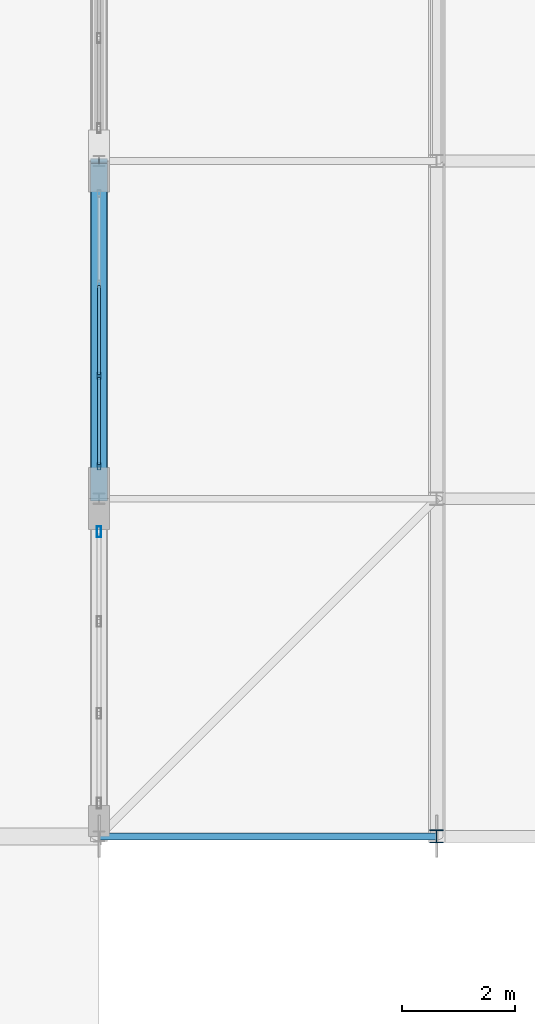
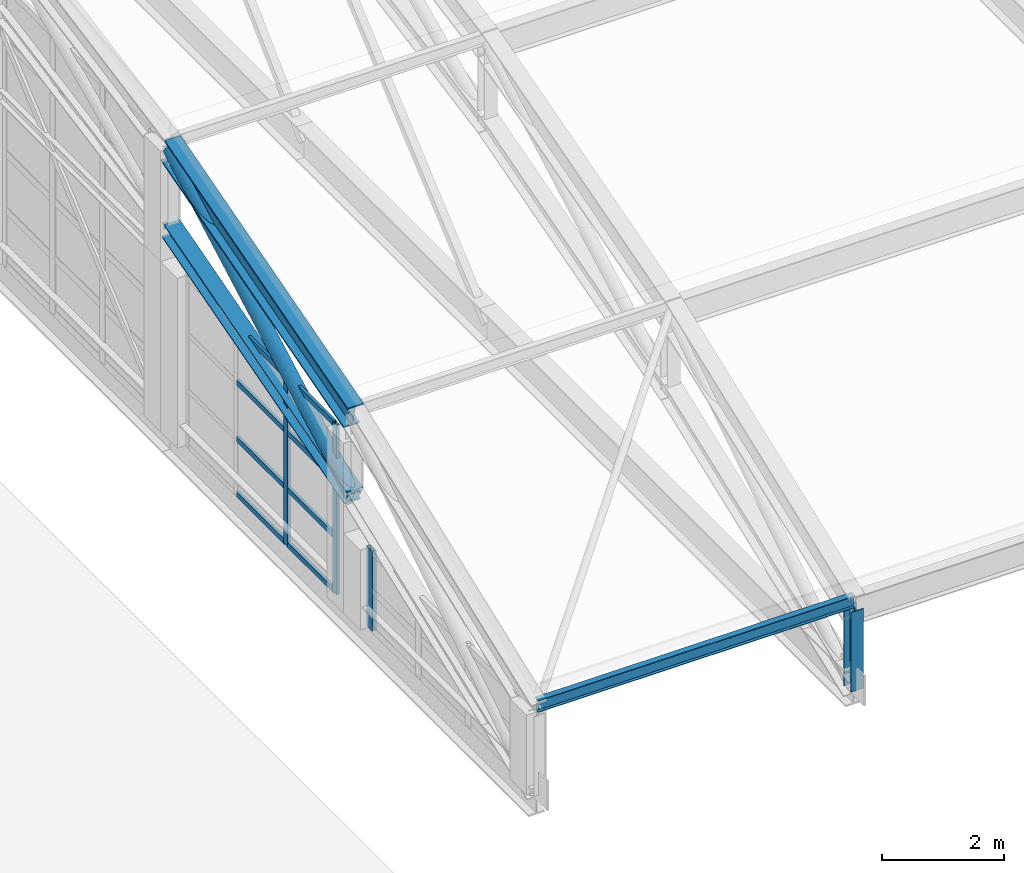
# One storey, part 73 of 204: 16 members, 2 elements without a shape of their own.
"""IFC4 building model written with IfcOpenShell, lengths in metres."""

import ifcopenshell
import ifcopenshell.guid

model = None  # the IFC model being written
_history = None  # IfcOwnerHistory: only IFC2X3 demands one
_inside = {}  # id of a spatial element -> (the spatial element, [elements in it])
_under = {}  # id of a project, library or spatial element -> (it, [spatial elements below it])
_declared = {}  # id of a project -> (the project, [libraries it declares])
_typed = {}  # id of a type object -> (the type object, [elements of that type])
_made_of = {}  # id of a material, layer set ... -> (it, [elements and type objects made of it])


def new_model(schema):
    """Start an empty IFC model of exactly this schema.

    Asked for "IFC4X3", IfcOpenShell would pick the latest addendum, in which some entities
    have other attributes; the version numbers below select the first issue.
    IFC2X3 requires an IfcOwnerHistory on every rooted entity: one is made here for all.
    """
    global model, _history
    if schema == "IFC4X3":
        model = ifcopenshell.file(schema_version=(4, 3, 0, 0))
    else:
        model = ifcopenshell.file(schema=schema)
    _inside.clear()
    _under.clear()
    _declared.clear()
    _typed.clear()
    _made_of.clear()
    _history = None
    if model.schema == "IFC2X3":
        org = make("IfcOrganization", Name="unknown")
        user = make(
            "IfcPersonAndOrganization",
            ThePerson=make("IfcPerson", FamilyName="unknown"),
            TheOrganization=org,
        )
        app = make(
            "IfcApplication",
            ApplicationDeveloper=org,
            Version="unknown",
            ApplicationFullName="unknown",
            ApplicationIdentifier="unknown",
        )
        _history = make(
            "IfcOwnerHistory",
            OwningUser=user,
            OwningApplication=app,
            ChangeAction="ADDED",
            CreationDate=0,
        )
    return model


def make(cls, **values):
    """One entity of the class cls with the attributes given. An attribute that is None is left unset."""
    return model.create_entity(
        cls, **{name: value for name, value in values.items() if value is not None}
    )


def rooted(cls, **values):
    """An entity with a GlobalId (a new one), such as an element, a storey or a relation."""
    return make(cls, GlobalId=ifcopenshell.guid.new(), OwnerHistory=_history, **values)


def si_unit(unit_type, name, prefix=None):
    """IfcSIUnit, for example si_unit("LENGTHUNIT", "METRE", prefix="MILLI")."""
    return make("IfcSIUnit", UnitType=unit_type, Prefix=prefix, Name=name)


def assignment(units):
    """IfcUnitAssignment: the units of a project."""
    return None if units is None else make("IfcUnitAssignment", Units=units)


def point(xyz):
    """IfcCartesianPoint."""
    return None if xyz is None else make("IfcCartesianPoint", Coordinates=xyz)


def direction(xyz):
    """IfcDirection."""
    return None if xyz is None else make("IfcDirection", DirectionRatios=xyz)


def frame(location, z_axis=None, x_axis=None):
    """IfcAxis2Placement3D, a coordinate frame: its origin and axes. An axis left out is left unset."""
    return make(
        "IfcAxis2Placement3D",
        Location=point(location),
        Axis=direction(z_axis),
        RefDirection=direction(x_axis),
    )


def frame_2d(location, x_axis=None):
    """IfcAxis2Placement2D, a coordinate frame in the plane: its origin and x axis."""
    return make(
        "IfcAxis2Placement2D", Location=point(location), RefDirection=direction(x_axis)
    )


def origin():
    """The frame at (0, 0, 0) with its axes left unset."""
    return frame((0.0, 0.0, 0.0))


def origin_2d():
    """The frame at (0, 0) in the plane with its x axis left unset."""
    return frame_2d((0.0, 0.0))


def place(relative_to, where):
    """IfcLocalPlacement: puts the frame where relative to a parent placement (None: the world)."""
    return make(
        "IfcLocalPlacement", PlacementRelTo=relative_to, RelativePlacement=where
    )


def context(
    kind, dimensions, precision=None, world=None, true_north=None, identifier=None
):
    """IfcGeometricRepresentationContext, for example the 3D "Model" context."""
    return make(
        "IfcGeometricRepresentationContext",
        ContextIdentifier=identifier,
        ContextType=kind,
        CoordinateSpaceDimension=dimensions,
        Precision=precision,
        WorldCoordinateSystem=world,
        TrueNorth=true_north,
    )


def subcontext(parent, identifier, kind, view, scale=None):
    """IfcGeometricRepresentationSubContext, for example "Body" below "Model"."""
    return make(
        "IfcGeometricRepresentationSubContext",
        ContextIdentifier=identifier,
        ContextType=kind,
        ParentContext=parent,
        TargetScale=scale,
        TargetView=view,
    )


def project(units=None, contexts=None):
    """IfcProject with its units and contexts."""
    return rooted(
        "IfcProject",
        Name="project",
        RepresentationContexts=contexts,
        UnitsInContext=assignment(units),
    )


def spatial(cls, under=None, at=None, **own):
    """A site, building, storey or space (cls), placed at a placement, below another one or the project."""
    s = rooted(cls, ObjectPlacement=at, **own)
    if under is not None:
        _under.setdefault(under.id(), (under, []))[1].append(s)
    return s


def profile(cls, at=None, kind="AREA", **sizes):
    """A parametric profile (cls). Its sizes go by their IFC names, for example OverallWidth=200.0."""
    return make(cls, ProfileType=kind, Position=at, **sizes)


def hollow_rectangle(**sizes):
    """IfcRectangleHollowProfileDef."""
    return profile("IfcRectangleHollowProfileDef", **sizes)


def hollow_circle(**sizes):
    """IfcCircleHollowProfileDef."""
    return profile("IfcCircleHollowProfileDef", **sizes)


def i_section(**sizes):
    """IfcIShapeProfileDef."""
    return profile("IfcIShapeProfileDef", **sizes)


def extrude(swept, where, along, depth):
    """IfcExtrudedAreaSolid: the profile swept, set in the frame where, extruded along a direction by depth."""
    return make(
        "IfcExtrudedAreaSolid",
        SweptArea=swept,
        Position=where,
        ExtrudedDirection=direction(along),
        Depth=depth,
    )


def shape(context_of_items, identifier, shape_type, items):
    """IfcShapeRepresentation: the items that make up one representation, for example the "Body"."""
    return make(
        "IfcShapeRepresentation",
        ContextOfItems=context_of_items,
        RepresentationIdentifier=identifier,
        RepresentationType=shape_type,
        Items=items,
    )


def material(Name=None, Category=None):
    """IfcMaterial."""
    return make("IfcMaterial", Name=Name, Category=Category)


def layer(
    of_material, thickness, ventilated=None, Name=None, Category=None, Priority=None
):
    """IfcMaterialLayer: one layer of a wall or slab, of a material (None: an air gap)."""
    return make(
        "IfcMaterialLayer",
        Material=of_material,
        LayerThickness=thickness,
        IsVentilated=ventilated,
        Name=Name,
        Category=Category,
        Priority=Priority,
    )


def layer_set(layers, Name=None):
    """IfcMaterialLayerSet."""
    return make("IfcMaterialLayerSet", MaterialLayers=layers, LayerSetName=Name)


def material_profile(
    of_material, cross_section, Name=None, Category=None, Priority=None
):
    """IfcMaterialProfile: a cross section and its material."""
    return make(
        "IfcMaterialProfile",
        Name=Name,
        Material=of_material,
        Profile=cross_section,
        Priority=Priority,
        Category=Category,
    )


def profile_set(profiles, Name=None, composite=None):
    """IfcMaterialProfileSet."""
    return make(
        "IfcMaterialProfileSet",
        Name=Name,
        MaterialProfiles=profiles,
        CompositeProfile=composite,
    )


def made_of(thing, what):
    """Note that an element or type object is made of a material, layer set ...; save() writes the relation."""
    if what is not None:
        _made_of.setdefault(what.id(), (what, []))[1].append(thing)
    return thing


def type_object(cls, material=None, **own):
    """A type object (cls), such as IfcWallType, which elements share."""
    return made_of(rooted(cls, **own), material)


def element(
    cls,
    number,
    at=None,
    inside=None,
    cuts=None,
    type_object=None,
    material=None,
    context=None,
    identifier="Body",
    shape_type=None,
    held_by="IfcProductDefinitionShape",
    body=None,
    shapes=None,
    **own,
):
    """One element of the class cls, such as IfcWall. Its Tag is "e" and its number.

    at: its placement. inside: the storey or other place that contains it. cuts: it is an
    opening in that element (IfcRelVoidsElement). A single representation is given by context,
    identifier, shape_type and body (its items); several are given by shapes. held_by: the class
    of the entity that holds the representations. save() writes the other relations.
    """
    e = rooted(cls, Tag="e%d" % number, ObjectPlacement=at, **own)
    if body is not None:
        shapes = [shape(context, identifier, shape_type, body)]
    if shapes is not None:
        e.Representation = make(held_by, Representations=shapes)
    if inside is not None:
        _inside.setdefault(inside.id(), (inside, []))[1].append(e)
    if cuts is not None:
        rooted(
            "IfcRelVoidsElement", RelatingBuildingElement=cuts, RelatedOpeningElement=e
        )
    if type_object is not None:
        _typed.setdefault(type_object.id(), (type_object, []))[1].append(e)
    return made_of(e, material)


def aggregate(whole, parts):
    """IfcRelAggregates: a whole, such as a stair, and the parts it consists of."""
    return rooted("IfcRelAggregates", RelatingObject=whole, RelatedObjects=parts)


def save(model, path):
    """Write the relations noted so far, then the file.

    IfcRelAggregates (storeys below a building ...), IfcRelContainedInSpatialStructure (elements
    in a storey), IfcRelDefinesByType, IfcRelAssociatesMaterial and IfcRelDeclares: one each for
    every whole, place, type object, material and project.
    """
    for whole, parts in _under.values():
        aggregate(whole, parts)
    for where, things in _inside.values():
        rooted(
            "IfcRelContainedInSpatialStructure",
            RelatedElements=things,
            RelatingStructure=where,
        )
    for kind, things in _typed.values():
        rooted("IfcRelDefinesByType", RelatedObjects=things, RelatingType=kind)
    for what, things in _made_of.values():
        rooted("IfcRelAssociatesMaterial", RelatedObjects=things, RelatingMaterial=what)
    for by, libraries in _declared.values():
        rooted("IfcRelDeclares", RelatingContext=by, RelatedDefinitions=libraries)
    model.write(path)


model = new_model("IFC4")

# Units and contexts
model_context = context("Model", 3, precision=1e-05, world=origin(), true_north=direction((0.0, 1.0)))
body_context = subcontext(model_context, "Body", "Model", "MODEL_VIEW")
ifc_project = project(units=[si_unit("LENGTHUNIT", "METRE"), si_unit("AREAUNIT", "SQUARE_METRE"), si_unit("VOLUMEUNIT", "CUBIC_METRE"), si_unit("PLANEANGLEUNIT", "RADIAN"), si_unit("MASSUNIT", "GRAM", prefix="KILO")], contexts=[model_context])

# Site, building, storey
site_placement = place(None, origin())
site = spatial("IfcSite", under=ifc_project, at=site_placement, CompositionType="ELEMENT")
building_placement = place(site_placement, origin())
building = spatial("IfcBuilding", under=site, at=building_placement, Name="Zilviju Railside Exhibition Hall", CompositionType="ELEMENT")
storey_placement = place(building_placement, frame((0.0, 0.0, 21.0)))
storey = spatial("IfcBuildingStorey", under=building, at=storey_placement, Name="RF", CompositionType="ELEMENT", Elevation=21.0)

# Curtain wall, members
ifc_material_1 = material(Name="Thermally broken aluminium-steel triple-glazed curtain wall", Category="steel")
ifc_layer_1 = layer(ifc_material_1, 0.179931640625)
ifc_layer_set_1 = layer_set([ifc_layer_1], Name="Thermally broken aluminium-steel triple-glazed curtain wall")
curtain_wall_type_1 = type_object("IfcCurtainWallType", Name="CW-BAY-20", PredefinedType="USERDEFINED", material=ifc_layer_set_1)
curtain_wall_1_placement = place(storey_placement, origin())
curtain_wall_1 = element("IfcCurtainWall", 1, at=curtain_wall_1_placement, inside=storey, type_object=curtain_wall_type_1, Name="North Hall Arch Lower Tympanum Glazing West P2", ObjectType="GLAZED CURTAIN WALL", PredefinedType="USERDEFINED")
ifc_material_2 = material(Name="Thermally broken anodized aluminium mullion", Category="aluminium")
ifc_material_profile_1 = material_profile(ifc_material_2, hollow_rectangle(XDim=0.054931640625, YDim=0.1298828125, WallThickness=0.0048828125, at=origin_2d()), Name="MULLION 130x55x5")
ifc_profile_set_1 = profile_set([ifc_material_profile_1], Name="Thermally broken anodized aluminium mullion")
member_type_1 = type_object("IfcMemberType", Name="CWM-55x130", PredefinedType="MULLION", material=ifc_profile_set_1)
member_1_placement = place(storey_placement, frame((78.0, 90.577392578125, -3.60009765625), z_axis=(0.0, 0.0, 1.0), x_axis=(-1.0, 0.0, 0.0)))
member_1 = element("IfcMember", 2, at=member_1_placement, type_object=member_type_1, Name="CW-20 mullion 1", PredefinedType="MULLION", context=body_context, shape_type="SweptSolid", body=[
    extrude(hollow_rectangle(XDim=0.054931640625, YDim=0.1298828125, WallThickness=0.0048828125, at=origin_2d()), origin(), (0.0, 0.0, 1.0), 3.400146484375),
])
member_2_placement = place(storey_placement, frame((78.0, 92.183349609375, -3.60009765625), z_axis=(0.0, 0.0, 1.0), x_axis=(-1.0, 0.0, 0.0)))
member_2 = element("IfcMember", 3, at=member_2_placement, type_object=member_type_1, Name="CW-20 mullion 2", PredefinedType="MULLION", context=body_context, shape_type="SweptSolid", body=[
    extrude(hollow_rectangle(XDim=0.054931640625, YDim=0.1298828125, WallThickness=0.0048828125, at=origin_2d()), origin(), (0.0, 0.0, 1.0), 3.400146484375),
])

# Curtain wall, member
ifc_layer_2 = layer(ifc_material_1, 0.179931640625)
ifc_layer_set_2 = layer_set([ifc_layer_2], Name="Thermally broken aluminium-steel triple-glazed curtain wall")
curtain_wall_type_2 = type_object("IfcCurtainWallType", Name="CW-BAY-19", PredefinedType="USERDEFINED", material=ifc_layer_set_2)
curtain_wall_2_placement = place(storey_placement, origin())
curtain_wall_2 = element("IfcCurtainWall", 4, at=curtain_wall_2_placement, inside=storey, type_object=curtain_wall_type_2, Name="North Hall Arch Lower Tympanum Glazing West P1", ObjectType="GLAZED CURTAIN WALL", PredefinedType="USERDEFINED")
ifc_material_profile_2 = material_profile(ifc_material_2, hollow_rectangle(XDim=0.074951171875, YDim=0.18994140625, WallThickness=0.0048828125, at=origin_2d()), Name="MULLION 190x75x5")
ifc_profile_set_2 = profile_set([ifc_material_profile_2], Name="Thermally broken anodized aluminium mullion")
member_type_2 = type_object("IfcMemberType", Name="CWM-75x190", PredefinedType="MULLION", material=ifc_profile_set_2)
member_3_placement = place(storey_placement, frame((78.0, 89.41259765625, -3.60009765625), z_axis=(0.0, 0.0, 1.0), x_axis=(-1.0, 0.0, 0.0)))
member_3 = element("IfcMember", 5, at=member_3_placement, type_object=member_type_2, Name="CW-19 mullion 4", PredefinedType="MULLION", context=body_context, shape_type="SweptSolid", body=[
    extrude(hollow_rectangle(XDim=0.074951171875, YDim=0.18994140625, WallThickness=0.0048828125, at=origin_2d()), origin(), (0.0, 0.0, 1.0), 1.60009765625),
])
aggregate(curtain_wall_2, [member_3])

# Member
ifc_material_3 = material(Name="Thermally broken anodized aluminium transom", Category="aluminium")
ifc_material_profile_3 = material_profile(ifc_material_3, hollow_rectangle(XDim=0.054931640625, YDim=0.10498046875, WallThickness=0.0048828125, at=origin_2d()), Name="TRANSOM 105x55x5")
ifc_profile_set_3 = profile_set([ifc_material_profile_3], Name="Thermally broken anodized aluminium transom")
member_type_3 = type_object("IfcMemberType", Name="CWT-55x105", PredefinedType="USERDEFINED", material=ifc_profile_set_3)
member_4_placement = place(storey_placement, frame((78.0, 90.60498046875, -3.572509765625), z_axis=(0.0, 1.0, 0.0), x_axis=(-1.0, 0.0, 0.0)))
member_4 = element("IfcMember", 6, at=member_4_placement, type_object=member_type_3, Name="CW-20 transom 1.1", ObjectType="TRANSOM", PredefinedType="USERDEFINED", context=body_context, shape_type="SweptSolid", body=[
    extrude(hollow_rectangle(XDim=0.054931640625, YDim=0.10498046875, WallThickness=0.0048828125, at=origin_2d()), origin(), (0.0, 0.0, 1.0), 1.55078125),
])

member_5_placement = place(storey_placement, frame((78.0, 90.60498046875, -2.467041015625), z_axis=(0.0, 1.0, 0.0), x_axis=(-1.0, 0.0, 0.0)))
member_5 = element("IfcMember", 7, at=member_5_placement, type_object=member_type_3, Name="CW-20 transom 1.2", ObjectType="TRANSOM", PredefinedType="USERDEFINED", context=body_context, shape_type="SweptSolid", body=[
    extrude(hollow_rectangle(XDim=0.054931640625, YDim=0.10498046875, WallThickness=0.0048828125, at=origin_2d()), origin(), (0.0, 0.0, 1.0), 1.55078125),
])

member_6_placement = place(storey_placement, frame((78.0, 90.60498046875, -1.3330078125), z_axis=(0.0, 1.0, 0.0), x_axis=(-1.0, 0.0, 0.0)))
member_6 = element("IfcMember", 8, at=member_6_placement, type_object=member_type_3, Name="CW-20 transom 1.3", ObjectType="TRANSOM", PredefinedType="USERDEFINED", context=body_context, shape_type="SweptSolid", body=[
    extrude(hollow_rectangle(XDim=0.054931640625, YDim=0.10498046875, WallThickness=0.0048828125, at=origin_2d()), origin(), (0.0, 0.0, 1.0), 1.55078125),
])

member_7_placement = place(storey_placement, frame((78.0, 90.60498046875, -0.2275390625), z_axis=(0.0, 1.0, 0.0), x_axis=(-1.0, 0.0, 0.0)))
member_7 = element("IfcMember", 9, at=member_7_placement, type_object=member_type_3, Name="CW-20 transom 1.4", ObjectType="TRANSOM", PredefinedType="USERDEFINED", context=body_context, shape_type="SweptSolid", body=[
    extrude(hollow_rectangle(XDim=0.054931640625, YDim=0.10498046875, WallThickness=0.0048828125, at=origin_2d()), origin(), (0.0, 0.0, 1.0), 1.55078125),
])

member_8_placement = place(storey_placement, frame((78.0, 92.2109375, -3.572509765625), z_axis=(0.0, 1.0, 0.0), x_axis=(-1.0, 0.0, 0.0)))
member_8 = element("IfcMember", 10, at=member_8_placement, type_object=member_type_3, Name="CW-20 transom 2.1", ObjectType="TRANSOM", PredefinedType="USERDEFINED", context=body_context, shape_type="SweptSolid", body=[
    extrude(hollow_rectangle(XDim=0.054931640625, YDim=0.10498046875, WallThickness=0.0048828125, at=origin_2d()), origin(), (0.0, 0.0, 1.0), 1.578125),
])

member_9_placement = place(storey_placement, frame((78.0, 92.2109375, -2.467041015625), z_axis=(0.0, 1.0, 0.0), x_axis=(-1.0, 0.0, 0.0)))
member_9 = element("IfcMember", 11, at=member_9_placement, type_object=member_type_3, Name="CW-20 transom 2.2", ObjectType="TRANSOM", PredefinedType="USERDEFINED", context=body_context, shape_type="SweptSolid", body=[
    extrude(hollow_rectangle(XDim=0.054931640625, YDim=0.10498046875, WallThickness=0.0048828125, at=origin_2d()), origin(), (0.0, 0.0, 1.0), 1.578125),
])

member_10_placement = place(storey_placement, frame((78.0, 92.2109375, -1.3330078125), z_axis=(0.0, 1.0, 0.0), x_axis=(-1.0, 0.0, 0.0)))
member_10 = element("IfcMember", 12, at=member_10_placement, type_object=member_type_3, Name="CW-20 transom 2.3", ObjectType="TRANSOM", PredefinedType="USERDEFINED", context=body_context, shape_type="SweptSolid", body=[
    extrude(hollow_rectangle(XDim=0.054931640625, YDim=0.10498046875, WallThickness=0.0048828125, at=origin_2d()), origin(), (0.0, 0.0, 1.0), 1.578125),
])

member_11_placement = place(storey_placement, frame((78.0, 92.2109375, -0.2275390625), z_axis=(0.0, 1.0, 0.0), x_axis=(-1.0, 0.0, 0.0)))
member_11 = element("IfcMember", 13, at=member_11_placement, type_object=member_type_3, Name="CW-20 transom 2.4", ObjectType="TRANSOM", PredefinedType="USERDEFINED", context=body_context, shape_type="SweptSolid", body=[
    extrude(hollow_rectangle(XDim=0.054931640625, YDim=0.10498046875, WallThickness=0.0048828125, at=origin_2d()), origin(), (0.0, 0.0, 1.0), 1.578125),
])

aggregate(curtain_wall_1, [member_1, member_2, member_4, member_5, member_6, member_7, member_8, member_9, member_10, member_11])

# Members
ifc_material_4 = material(Name="Steel S355ML", Category="steel")
ifc_material_profile_4 = material_profile(ifc_material_4, hollow_circle(Radius=0.136474609375, WallThickness=0.012451171875, at=origin_2d()), Name="CHS 273.0x12.5")
ifc_profile_set_4 = profile_set([ifc_material_profile_4], Name="Steel S355ML")
member_type_4 = type_object("IfcMemberType", Name="TR-BR-CHS273", PredefinedType="BRACE", material=ifc_profile_set_4)
member_12_placement = place(storey_placement, frame((78.0, 90.0, -1.30859375), z_axis=(0.0, 0.8750828143, 0.483973210122), x_axis=(-1.0, 0.0, 0.0)))
element("IfcMember", 14, at=member_12_placement, inside=storey, type_object=member_type_4, Name="V2 Parabolic Arch Web Diagonal X=78.0 P2", PredefinedType="BRACE", context=body_context, shape_type="SweptSolid", body=[
    extrude(hollow_circle(Radius=0.136474609375, WallThickness=0.012451171875, at=origin_2d()), origin(), (0.0, 0.0, 1.0), 6.8564453125),
])
ifc_material_profile_5 = material_profile(ifc_material_4, i_section(OverallWidth=0.300048828125, OverallDepth=0.300048828125, WebThickness=0.010986328125, FlangeThickness=0.01904296875, at=origin_2d()), Name="HEB 300")
ifc_profile_set_5 = profile_set([ifc_material_profile_5], Name="Steel S355ML")
member_type_5 = type_object("IfcMemberType", Name="TR-CH-HEB300", PredefinedType="CHORD", material=ifc_profile_set_5)
member_13_placement = place(storey_placement, frame((78.0, 90.0, -1.30859375), z_axis=(0.0, 0.961345133658, 0.275346207512), x_axis=(-1.0, 0.0, 0.0)))
element("IfcMember", 15, at=member_13_placement, inside=storey, type_object=member_type_5, Name="V2 Parabolic Arch Bottom Chord X=78.0 P2", PredefinedType="CHORD", context=body_context, shape_type="SweptSolid", body=[
    extrude(i_section(OverallWidth=0.300048828125, OverallDepth=0.300048828125, WebThickness=0.010986328125, FlangeThickness=0.01904296875, at=origin_2d()), origin(), (0.0, 0.0, 1.0), 6.2412109375),
])
ifc_material_profile_6 = material_profile(ifc_material_4, i_section(OverallWidth=0.300048828125, OverallDepth=0.5, WebThickness=0.014404296875, FlangeThickness=0.028076171875, at=origin_2d()), Name="HEB 500")
ifc_profile_set_6 = profile_set([ifc_material_profile_6], Name="Steel S355ML")
member_type_6 = type_object("IfcMemberType", Name="TR-CH-HEB500-ML", PredefinedType="CHORD", material=ifc_profile_set_6)
member_14_placement = place(storey_placement, frame((78.0, 90.0, 0.291259765625), z_axis=(0.0, 0.961345133658, 0.275346207512), x_axis=(-1.0, 0.0, 0.0)))
element("IfcMember", 16, at=member_14_placement, inside=storey, type_object=member_type_6, Name="V2 Parabolic Arch Top Chord X=78.0 P2", PredefinedType="CHORD", context=body_context, shape_type="SweptSolid", body=[
    extrude(i_section(OverallWidth=0.300048828125, OverallDepth=0.5, WebThickness=0.014404296875, FlangeThickness=0.028076171875, at=origin_2d()), origin(), (0.0, 0.0, 1.0), 6.2412109375),
])
ifc_material_5 = material(Name="Steel S355J2", Category="steel")
ifc_material_profile_7 = material_profile(ifc_material_5, i_section(OverallWidth=0.239990234375, OverallDepth=0.22998046875, WebThickness=0.007568359375, FlangeThickness=0.011962890625, at=origin_2d()), Name="HEA 240")
ifc_profile_set_7 = profile_set([ifc_material_profile_7], Name="Steel S355J2")
member_type_7 = type_object("IfcMemberType", Name="TR-POST-HEA240", PredefinedType="POST", material=ifc_profile_set_7)
member_15_placement = place(storey_placement, frame((84.0, 84.0, -3.60009765625), z_axis=(0.0, 0.0, 1.0), x_axis=(1.0, 0.0, 0.0)))
element("IfcMember", 17, at=member_15_placement, inside=storey, type_object=member_type_7, Name="V2 Parabolic Arch Web Post X=84.0 N0", PredefinedType="POST", context=body_context, shape_type="SweptSolid", body=[
    extrude(i_section(OverallWidth=0.239990234375, OverallDepth=0.22998046875, WebThickness=0.007568359375, FlangeThickness=0.011962890625, at=origin_2d()), origin(), (0.0, 0.0, 1.0), 1.60009765625),
])
ifc_material_profile_8 = material_profile(ifc_material_5, i_section(OverallWidth=0.1201171875, OverallDepth=0.239990234375, WebThickness=0.006103515625, FlangeThickness=0.009765625, at=origin_2d()), Name="IPE 240")
ifc_profile_set_8 = profile_set([ifc_material_profile_8], Name="Steel S355J2")
member_type_8 = type_object("IfcMemberType", Name="TR-PUR-IPE240", PredefinedType="PURLIN", material=ifc_profile_set_8)
member_16_placement = place(storey_placement, frame((78.0, 84.0, -1.85693359375), z_axis=(1.0, 0.0, 0.0), x_axis=(0.0, 1.0, 0.0)))
element("IfcMember", 18, at=member_16_placement, inside=storey, type_object=member_type_8, Name="V2 Barrel Vault Roof Purlin Y=84.0 (78.0..84.0)", PredefinedType="PURLIN", context=body_context, shape_type="SweptSolid", body=[
    extrude(i_section(OverallWidth=0.1201171875, OverallDepth=0.239990234375, WebThickness=0.006103515625, FlangeThickness=0.009765625, at=origin_2d()), origin(), (0.0, 0.0, 1.0), 6.0),
])

save(model, "model.ifc")
